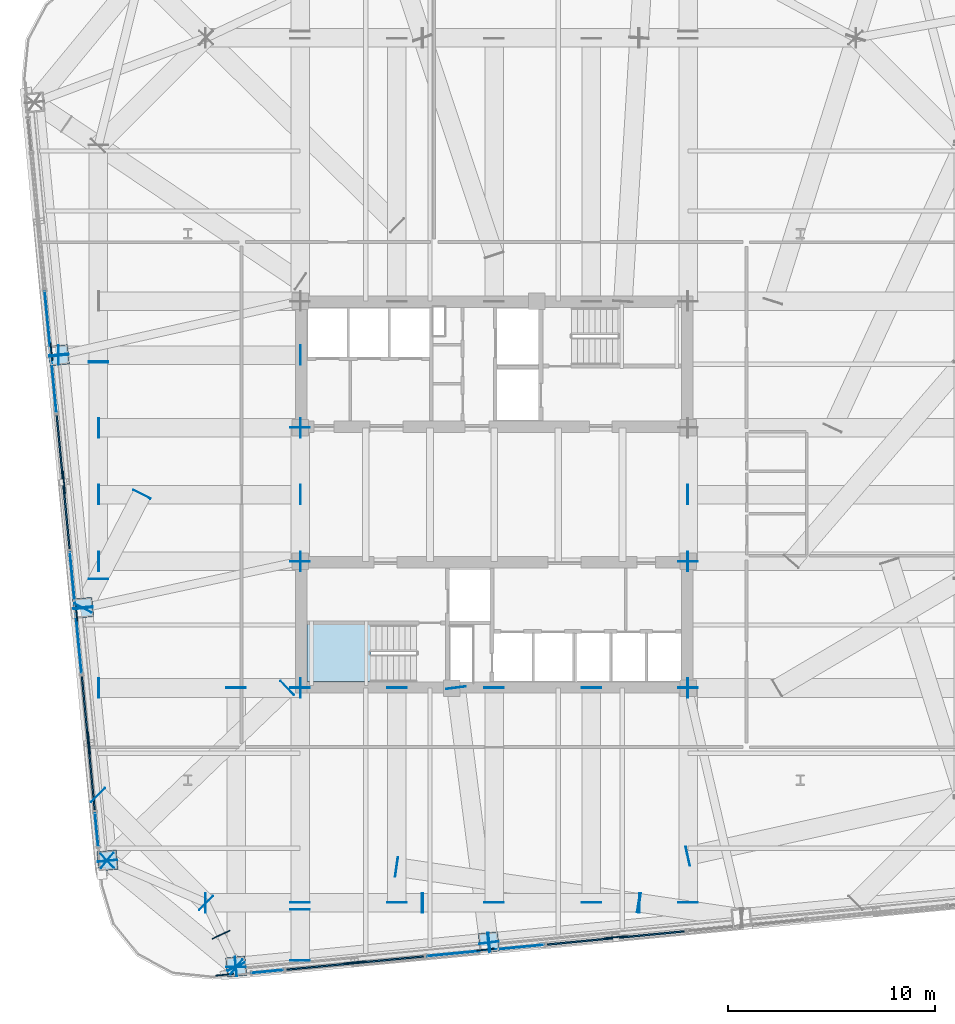
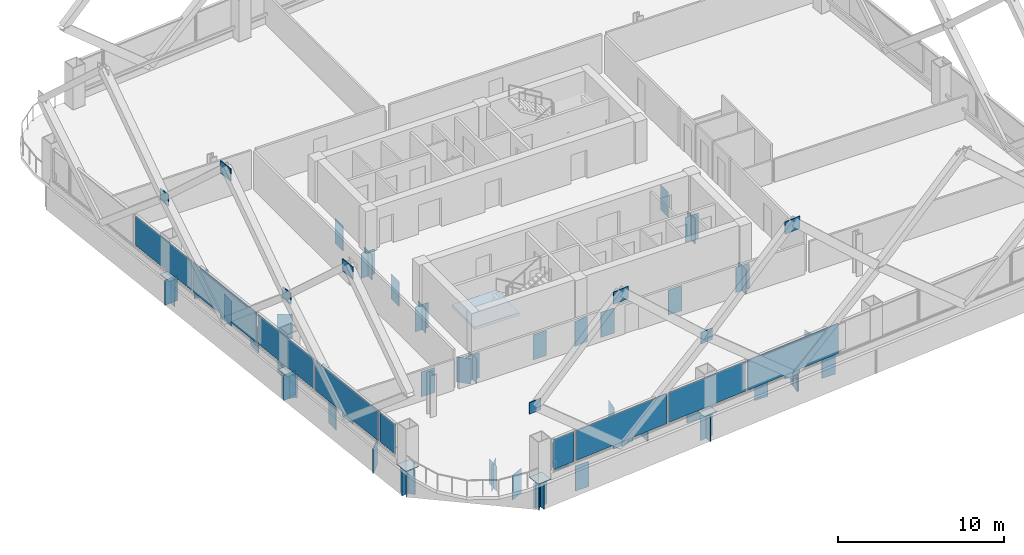
# One storey, part 33 of 42: 87 plates, 1 slab, 10 elements without a shape of their own.
"""IFC4 building model written with IfcOpenShell, lengths in metres."""

from ifc_helpers import new_model, si_unit, direction, frame, origin, origin_2d, place, context, subcontext, project, spatial, polyline, rectangle, outline, extrude, material, layer, layer_set, type_object, element, aggregate, save


model = new_model("IFC4")

# Units and contexts
model_context = context("Model", 3, precision=1e-05, world=origin(), true_north=direction((0.0, 1.0)))
body_context = subcontext(model_context, "Body", "Model", "MODEL_VIEW")
ifc_project = project(units=[si_unit("LENGTHUNIT", "METRE"), si_unit("AREAUNIT", "SQUARE_METRE"), si_unit("VOLUMEUNIT", "CUBIC_METRE"), si_unit("PLANEANGLEUNIT", "RADIAN"), si_unit("MASSUNIT", "GRAM", prefix="KILO")], contexts=[model_context])

# Site, building, storey
site_placement = place(None, origin())
site = spatial("IfcSite", under=ifc_project, at=site_placement, CompositionType="ELEMENT")
building_placement = place(site_placement, origin())
building = spatial("IfcBuilding", under=site, at=building_placement, Name="Qhalaya Broadcast Tower", CompositionType="ELEMENT")
storey_placement = place(building_placement, frame((0.0, 0.0, 69.449951171875)))
storey = spatial("IfcBuildingStorey", under=building, at=storey_placement, Name="L19", CompositionType="ELEMENT", Elevation=69.449951171875)

# Plates
ifc_material_1 = material(Name="Structural Steel ASTM A572 Grade 50", Category="steel")
ifc_layer_1 = layer(ifc_material_1, 0.054931640625, Name="Structural Steel ASTM A572 Grade 50")
ifc_layer_set_1 = layer_set([ifc_layer_1], Name="Structural Steel ASTM A572 Grade 50")
plate_type_1 = type_object("IfcPlateType", Name="Exoskeleton Diamond Node Gusset Plate NP-01", PredefinedType="USERDEFINED", material=ifc_layer_set_1)
for number, where, z_axis, x_axis, name in (
    (1, (-6.725830078125, -22.00146484375, 0.210205078125), (0.0, 0.0, 1.0), (0.995396198367, 0.09584575252, 0.0), "Exoskeleton Diamond Node B2-S1-BOT"),
    (2, (-6.725830078125, -22.00146484375, 10.85009765625), (0.0, 0.0, 1.0), (0.995396198367, 0.09584575252, 0.0), "Exoskeleton Diamond Node B2-S1-TOP"),
):
    element("IfcPlate", number, at=place(storey_placement, frame(where, z_axis=z_axis, x_axis=x_axis)), inside=storey, type_object=plate_type_1, Name=name, ObjectType="GUSSET_PLATE", PredefinedType="USERDEFINED", context=body_context, shape_type="SweptSolid", body=[
        extrude(rectangle(XDim=1.10009765625, YDim=0.054931640625, at=origin_2d()), origin(), (0.0, 0.0, 1.0), 0.89990234375),
    ])
plate_1_placement = place(storey_placement, frame((-13.030029296875, -22.608642578125, 5.31494140625), z_axis=(0.0, 0.0, 1.0), x_axis=(0.995396198367, 0.09584575252, 0.0)))
element("IfcPlate", 3, at=plate_1_placement, inside=storey, type_object=plate_type_1, Name="Exoskeleton Diamond Node B2-S1-MDL", ObjectType="GUSSET_PLATE", PredefinedType="USERDEFINED", context=body_context, shape_type="SweptSolid", body=[
    extrude(rectangle(XDim=0.85009765625, YDim=0.054931640625, at=origin_2d()), origin(), (0.0, 0.0, 1.0), 0.85009765625),
])
for number, where, z_axis, x_axis, name in (
    (4, (5.882568359375, -20.78759765625, 0.210205078125), (0.0, 0.0, 1.0), (0.995396198367, 0.09584575252, 0.0), "Exoskeleton Diamond Node B2-S2-BOT"),
    (5, (5.882568359375, -20.78759765625, 10.85009765625), (0.0, 0.0, 1.0), (0.995396198367, 0.09584575252, 0.0), "Exoskeleton Diamond Node B2-S2-TOP"),
):
    element("IfcPlate", number, at=place(storey_placement, frame(where, z_axis=z_axis, x_axis=x_axis)), inside=storey, type_object=plate_type_1, Name=name, ObjectType="GUSSET_PLATE", PredefinedType="USERDEFINED", context=body_context, shape_type="SweptSolid", body=[
        extrude(rectangle(XDim=1.10009765625, YDim=0.054931640625, at=origin_2d()), origin(), (0.0, 0.0, 1.0), 0.89990234375),
    ])
plate_2_placement = place(storey_placement, frame((-0.421630859375, -21.39453125, 5.31494140625), z_axis=(0.0, 0.0, 1.0), x_axis=(0.995396198367, 0.09584575252, 0.0)))
element("IfcPlate", 6, at=plate_2_placement, inside=storey, type_object=plate_type_1, Name="Exoskeleton Diamond Node B2-S2-MDL", ObjectType="GUSSET_PLATE", PredefinedType="USERDEFINED", context=body_context, shape_type="SweptSolid", body=[
    extrude(rectangle(XDim=0.85009765625, YDim=0.054931640625, at=origin_2d()), origin(), (0.0, 0.0, 1.0), 0.85009765625),
])
for number, where, z_axis, x_axis, name in (
    (7, (-20.78759765625, 1.197509765625, 0.210205078125), (0.0, 0.0, 1.0), (-0.09584575252, 0.995396198367, 0.0), "Exoskeleton Diamond Node B2-W2-BOT"),
    (8, (-20.78759765625, 1.197509765625, 10.85009765625), (0.0, 0.0, 1.0), (-0.09584575252, 0.995396198367, 0.0), "Exoskeleton Diamond Node B2-W2-TOP"),
):
    element("IfcPlate", number, at=place(storey_placement, frame(where, z_axis=z_axis, x_axis=x_axis)), inside=storey, type_object=plate_type_1, Name=name, ObjectType="GUSSET_PLATE", PredefinedType="USERDEFINED", context=body_context, shape_type="SweptSolid", body=[
        extrude(rectangle(XDim=1.10009765625, YDim=0.054931640625, at=origin_2d()), origin(), (0.0, 0.0, 1.0), 0.89990234375),
    ])
plate_3_placement = place(storey_placement, frame((-21.39453125, 7.501708984375, 5.31494140625), z_axis=(0.0, 0.0, 1.0), x_axis=(-0.09584575252, 0.995396198367, 0.0)))
element("IfcPlate", 9, at=plate_3_placement, inside=storey, type_object=plate_type_1, Name="Exoskeleton Diamond Node B2-W2-MDL", ObjectType="GUSSET_PLATE", PredefinedType="USERDEFINED", context=body_context, shape_type="SweptSolid", body=[
    extrude(rectangle(XDim=0.85009765625, YDim=0.054931640625, at=origin_2d()), origin(), (0.0, 0.0, 1.0), 0.85009765625),
])
for number, where, z_axis, x_axis, name in (
    (10, (-19.573486328125, -11.410888671875, 0.210205078125), (0.0, 0.0, 1.0), (-0.09584575252, 0.995396198367, 0.0), "Exoskeleton Diamond Node B2-W3-BOT"),
    (11, (-19.573486328125, -11.410888671875, 10.85009765625), (0.0, 0.0, 1.0), (-0.09584575252, 0.995396198367, 0.0), "Exoskeleton Diamond Node B2-W3-TOP"),
):
    element("IfcPlate", number, at=place(storey_placement, frame(where, z_axis=z_axis, x_axis=x_axis)), inside=storey, type_object=plate_type_1, Name=name, ObjectType="GUSSET_PLATE", PredefinedType="USERDEFINED", context=body_context, shape_type="SweptSolid", body=[
        extrude(rectangle(XDim=1.10009765625, YDim=0.054931640625, at=origin_2d()), origin(), (0.0, 0.0, 1.0), 0.89990234375),
    ])
plate_4_placement = place(storey_placement, frame((-20.180419921875, -5.106689453125, 5.31494140625), z_axis=(0.0, 0.0, 1.0), x_axis=(-0.09584575252, 0.995396198367, 0.0)))
element("IfcPlate", 12, at=plate_4_placement, inside=storey, type_object=plate_type_1, Name="Exoskeleton Diamond Node B2-W3-MDL", ObjectType="GUSSET_PLATE", PredefinedType="USERDEFINED", context=body_context, shape_type="SweptSolid", body=[
    extrude(rectangle(XDim=0.85009765625, YDim=0.054931640625, at=origin_2d()), origin(), (0.0, 0.0, 1.0), 0.85009765625),
])
ifc_layer_2 = layer(ifc_material_1, 0.4599609375, Name="Structural Steel ASTM A572 Grade 50")
ifc_layer_set_2 = layer_set([ifc_layer_2], Name="Structural Steel ASTM A572 Grade 50")
plate_type_2 = type_object("IfcPlateType", Name="Hollow Box Member End Cap Plate CP-01", PredefinedType="USERDEFINED", material=ifc_layer_set_2)
for number, where, z_axis, x_axis, name in (
    (13, (-12.481201171875, -22.214111328125, -2.0400390625), (0.0, 0.0, 1.0), (-0.09584575252, 0.995396198367, 0.0), "L19 Hollow Girder End Cap L19-SPR-01-A"),
    (14, (-0.2392578125, -21.035400390625, -2.0400390625), (0.0, 0.0, 1.0), (-0.09584575252, 0.995396198367, 0.0), "L19 Hollow Girder End Cap L19-SPR-01-B"),
    (15, (-0.27099609375, -21.038330078125, -2.0400390625), (0.0, 0.0, 1.0), (-0.09584575252, 0.995396198367, 0.0), "L19 Hollow Girder End Cap L19-SPR-02-A"),
    (16, (-21.035400390625, 7.3193359375, -2.0400390625), (0.0, 0.0, 1.0), (0.995396198367, 0.09584575252, 0.0), "L19 Hollow Girder End Cap L19-SPR-13-B"),
    (17, (-21.038330078125, 7.35107421875, -2.0400390625), (0.0, 0.0, 1.0), (0.995396198367, 0.09584575252, 0.0), "L19 Hollow Girder End Cap L19-SPR-14-A"),
    (18, (-19.859619140625, -4.890869140625, -2.0400390625), (0.0, 0.0, 1.0), (0.995396198367, 0.09584575252, 0.0), "L19 Hollow Girder End Cap L19-SPR-14-B"),
    (19, (-19.86279296875, -4.859130859375, -2.0400390625), (0.0, 0.0, 1.0), (0.995396198367, 0.09584575252, 0.0), "L19 Hollow Girder End Cap L19-SPR-15-A"),
    (20, (-18.68408203125, -17.10107421875, -2.0400390625), (0.0, 0.0, 1.0), (0.995396198367, 0.09584575252, 0.0), "L19 Hollow Girder End Cap L19-SPR-15-B"),
    (21, (-18.69775390625, -17.074951171875, -2.0400390625), (0.0, 0.0, 1.0), (0.636078220278, 0.771624583388, 0.0), "L19 Hollow Girder End Cap L19-SPR-16-A"),
    (22, (-12.453125, -22.222900390625, -2.0400390625), (0.0, 0.0, 1.0), (0.636078220278, 0.771624583388, 0.0), "L19 Hollow Girder End Cap L19-SPR-16-B"),
    (23, (-13.946044921875, -19.1298828125, -2.0400390625), (0.0, 0.0, 1.0), (0.0, 1.0, 0.0), "L19 Hollow Girder End Cap L19-TGL-01-A"),
    (24, (-3.447265625, -19.1298828125, -2.0400390625), (0.0, 0.0, 1.0), (0.0, 1.0, 0.0), "L19 Hollow Girder End Cap L19-TGL-01-B"),
    (25, (-3.479248046875, -19.1298828125, -2.0400390625), (0.0, 0.0, 1.0), (0.0, 1.0, 0.0), "L19 Hollow Girder End Cap L19-TGL-02-A"),
    (26, (7.019287109375, -19.1298828125, -2.0400390625), (0.0, 0.0, 1.0), (0.0, 1.0, 0.0), "L19 Hollow Girder End Cap L19-TGL-02-B"),
    (27, (-19.1298828125, 6.9873046875, -2.0400390625), (0.0, 0.0, 1.0), (1.0, 0.0, 0.0), "L19 Hollow Girder End Cap L19-TGL-13-B"),
    (28, (-19.1298828125, 7.019287109375, -2.0400390625), (0.0, 0.0, 1.0), (1.0, 0.0, 0.0), "L19 Hollow Girder End Cap L19-TGL-14-A"),
    (29, (-19.1298828125, -3.479248046875, -2.0400390625), (0.0, 0.0, 1.0), (1.0, 0.0, 0.0), "L19 Hollow Girder End Cap L19-TGL-14-B"),
    (30, (-19.141357421875, -13.918701171875, -2.0400390625), (0.0, 0.0, 1.0), (0.707106781187, 0.707106781187, 0.0), "L19 Hollow Girder End Cap L19-TGL-16-A"),
    (31, (-13.918701171875, -19.141357421875, -2.0400390625), (0.0, 0.0, 1.0), (0.707106781187, 0.707106781187, 0.0), "L19 Hollow Girder End Cap L19-TGL-16-B"),
    (32, (0.0, -19.10595703125, -2.0400390625), (0.0, 0.0, 1.0), (-1.0, 0.0, 0.0), "L19 Hollow Girder End Cap L19-TGIMS-1-A"),
    (33, (0.0, -8.73388671875, -2.0400390625), (0.0, 0.0, 1.0), (-1.0, 0.0, 0.0), "L19 Hollow Girder End Cap L19-TGIMS-1-B"),
    (34, (-4.699951171875, -19.10595703125, -2.0400390625), (0.0, 0.0, 1.0), (-1.0, 0.0, 0.0), "L19 Hollow Girder End Cap L19-TGIMSW-1-A"),
    (35, (-4.699951171875, -8.73388671875, -2.0400390625), (0.0, 0.0, 1.0), (-1.0, 0.0, 0.0), "L19 Hollow Girder End Cap L19-TGIMSW-1-B"),
    (36, (4.699951171875, -19.10595703125, -2.0400390625), (0.0, 0.0, 1.0), (-1.0, 0.0, 0.0), "L19 Hollow Girder End Cap L19-TGIMSE-1-A"),
    (37, (4.699951171875, -8.73388671875, -2.0400390625), (0.0, 0.0, 1.0), (-1.0, 0.0, 0.0), "L19 Hollow Girder End Cap L19-TGIMSE-1-B"),
    (38, (-19.10595703125, 0.60009765625, -2.0400390625), (0.0, 0.0, 1.0), (0.0, 1.0, 0.0), "L19 Hollow Girder End Cap L19-TGIYW-1-A"),
    (39, (-9.35888671875, 0.60009765625, -2.0400390625), (0.0, 0.0, 1.0), (0.0, 1.0, 0.0), "L19 Hollow Girder End Cap L19-TGIYW-1-B"),
    (40, (9.35888671875, 0.60009765625, -2.0400390625), (0.0, 0.0, 1.0), (0.0, 1.0, 0.0), "L19 Hollow Girder End Cap L19-TGIYE-1-A"),
    (41, (-9.375, -19.10595703125, -2.0400390625), (0.0, 0.0, 1.0), (-1.0, 0.0, 0.0), "L19 Hollow Girder End Cap L19-TGISW-1-A"),
    (42, (-9.375, -8.73388671875, -2.0400390625), (0.0, 0.0, 1.0), (-1.0, 0.0, 0.0), "L19 Hollow Girder End Cap L19-TGISW-1-B"),
    (43, (9.375, -19.10595703125, -2.0400390625), (0.0, 0.0, 1.0), (-1.0, 0.0, 0.0), "L19 Hollow Girder End Cap L19-TGISE-1-A"),
    (44, (9.375, -8.73388671875, -2.0400390625), (0.0, 0.0, 1.0), (-1.0, 0.0, 0.0), "L19 Hollow Girder End Cap L19-TGISE-1-B"),
    (45, (-9.375, -2.64111328125, -2.0400390625), (0.0, 0.0, 1.0), (-1.0, 0.0, 0.0), "L19 Hollow Girder End Cap L19-TGIMW-1-A"),
    (46, (-9.375, 3.841064453125, -2.0400390625), (0.0, 0.0, 1.0), (-1.0, 0.0, 0.0), "L19 Hollow Girder End Cap L19-TGIMW-1-B"),
    (47, (9.375, -2.64111328125, -2.0400390625), (0.0, 0.0, 1.0), (-1.0, 0.0, 0.0), "L19 Hollow Girder End Cap L19-TGIME-1-A"),
    (48, (-19.10595703125, -8.75, -2.0400390625), (0.0, 0.0, 1.0), (0.0, 1.0, 0.0), "L19 Hollow Girder End Cap L19-TGIY1W-1-A"),
    (49, (-9.35888671875, -8.75, -2.0400390625), (0.0, 0.0, 1.0), (0.0, 1.0, 0.0), "L19 Hollow Girder End Cap L19-TGIY1W-1-B"),
    (50, (9.35888671875, -8.75, -2.0400390625), (0.0, 0.0, 1.0), (0.0, 1.0, 0.0), "L19 Hollow Girder End Cap L19-TGIY1E-1-A"),
    (51, (-19.10595703125, -2.625, -2.0400390625), (0.0, 0.0, 1.0), (0.0, 1.0, 0.0), "L19 Hollow Girder End Cap L19-TGIY2W-1-A"),
    (52, (-9.35888671875, -2.625, -2.0400390625), (0.0, 0.0, 1.0), (0.0, 1.0, 0.0), "L19 Hollow Girder End Cap L19-TGIY2W-1-B"),
    (53, (9.35888671875, -2.625, -2.0400390625), (0.0, 0.0, 1.0), (0.0, 1.0, 0.0), "L19 Hollow Girder End Cap L19-TGIY2E-1-A"),
    (54, (-19.10595703125, 3.824951171875, -2.0400390625), (0.0, 0.0, 1.0), (0.0, 1.0, 0.0), "L19 Hollow Girder End Cap L19-TGIY3W-1-A"),
    (55, (-9.35888671875, 3.824951171875, -2.0400390625), (0.0, 0.0, 1.0), (0.0, 1.0, 0.0), "L19 Hollow Girder End Cap L19-TGIY3W-1-B"),
    (56, (-12.46533203125, -8.73388671875, -2.0400390625), (0.0, 0.0, 1.0), (1.0, 0.0, 0.0), "L19 Hollow Girder End Cap L19-TGA-01-A"),
    (57, (-12.46533203125, -22.228515625, -2.0400390625), (0.0, 0.0, 1.0), (1.0, 0.0, 0.0), "L19 Hollow Girder End Cap L19-TGA-01-B"),
):
    element("IfcPlate", number, at=place(storey_placement, frame(where, z_axis=z_axis, x_axis=x_axis)), inside=storey, type_object=plate_type_2, Name=name, ObjectType="COVER_PLATE", PredefinedType="USERDEFINED", context=body_context, shape_type="SweptSolid", body=[
        extrude(rectangle(XDim=0.93994140625, YDim=0.031982421875, at=origin_2d()), origin(), (0.0, 0.0, 1.0), 1.840087890625),
    ])
plate_5_placement = place(storey_placement, frame((-12.46533203125, -22.212646484375, -2.02001953125), z_axis=(0.0, 0.0, 1.0), x_axis=(0.903237947318, 0.429140082637, 0.0)))
element("IfcPlate", 58, at=plate_5_placement, inside=storey, type_object=plate_type_2, Name="L19 Transfer Box End Cap 01", ObjectType="COVER_PLATE", PredefinedType="USERDEFINED", context=body_context, shape_type="SweptSolid", body=[
    extrude(rectangle(XDim=0.919921875, YDim=0.035888671875, at=origin_2d()), origin(), (0.0, 0.0, 1.0), 1.800048828125),
])
for number, where, z_axis, x_axis, name in (
    (59, (-1.841552734375, -8.734130859375, -2.0400390625), (0.0, 0.0, 1.0), (0.99178764513, 0.12789553146, 0.0), "L19 Hollow Girder End Cap L19-TGA-02-A"),
    (60, (-0.253173828125, -21.052734375, -2.0400390625), (0.0, 0.0, 1.0), (0.99178764513, 0.12789553146, 0.0), "L19 Hollow Girder End Cap L19-TGA-02-B"),
    (61, (-4.7158203125, -17.3994140625, -2.0400390625), (0.0, 0.0, 1.0), (0.146083028562, 0.989272332963, 0.0), "L19 Hollow Girder End Cap L19-TGA-03-A"),
    (62, (7.01904296875, -19.13232421875, -2.0400390625), (0.0, 0.0, 1.0), (0.146083028562, 0.989272332963, 0.0), "L19 Hollow Girder End Cap L19-TGA-03-B"),
    (63, (6.987548828125, -19.127685546875, -2.0400390625), (0.0, 0.0, 1.0), (0.146083028562, 0.989272332963, 0.0), "L19 Hollow Girder End Cap L19-TGC-03-A"),
    (64, (9.359375, -16.873779296875, -2.0400390625), (0.0, 0.0, 1.0), (-0.215928396898, 0.976409200803, 0.0), "L19 Hollow Girder End Cap L19-TGA-05-A"),
    (65, (-9.35888671875, 7.335205078125, -2.0400390625), (0.0, 0.0, 1.0), (0.0, -1.0, 0.0), "L19 Hollow Girder End Cap L19-TGA-14-A"),
    (66, (-21.052978515625, 7.335205078125, -2.0400390625), (0.0, 0.0, 1.0), (0.0, -1.0, 0.0), "L19 Hollow Girder End Cap L19-TGA-14-B"),
    (67, (-17.01806640625, 0.6142578125, -2.0400390625), (0.0, 0.0, 1.0), (0.887959917348, -0.459920846649, 0.0), "L19 Hollow Girder End Cap L19-TGA-15-A"),
    (68, (-19.86865234375, -4.88916015625, -2.0400390625), (0.0, 0.0, 1.0), (0.887959917348, -0.459920846649, 0.0), "L19 Hollow Girder End Cap L19-TGA-15-B"),
    (69, (-9.998046875, -8.739013671875, -2.0400390625), (0.0, 0.0, 1.0), (0.692797937531, -0.721131761714, 0.0), "L19 Hollow Girder End Cap L19-TGA-16-A"),
    (70, (-18.697021484375, -17.09619140625, -2.0400390625), (0.0, 0.0, 1.0), (0.692797937531, -0.721131761714, 0.0), "L19 Hollow Girder End Cap L19-TGA-16-B"),
    (71, (-9.375, -21.910888671875, -2.0400390625), (0.0, 0.0, 1.0), (-1.0, 0.0, 0.0), "L19 Hollow Girder End Cap L19-PGXS1-OV1-A"),
    (72, (-9.375, -19.4541015625, -2.0400390625), (0.0, 0.0, 1.0), (-1.0, 0.0, 0.0), "L19 Hollow Girder End Cap L19-PGXS1-OV1-B"),
):
    element("IfcPlate", number, at=place(storey_placement, frame(where, z_axis=z_axis, x_axis=x_axis)), inside=storey, type_object=plate_type_2, Name=name, ObjectType="COVER_PLATE", PredefinedType="USERDEFINED", context=body_context, shape_type="SweptSolid", body=[
        extrude(rectangle(XDim=0.93994140625, YDim=0.031982421875, at=origin_2d()), origin(), (0.0, 0.0, 1.0), 1.840087890625),
    ])
for number, where, z_axis, x_axis, name in (
    (73, (-12.46533203125, -22.212646484375, -0.03173828125), (0.0, 0.0, 1.0), (0.995396198367, 0.09584575252, 0.0), "L19 Hollow Box Column Base Cap Plate COL-EX01"),
    (74, (-0.255126953125, -21.036865234375, -0.03173828125), (0.0, 0.0, 1.0), (0.995396198367, 0.09584575252, 0.0), "L19 Hollow Box Column Base Cap Plate COL-EX02"),
    (75, (-21.036865234375, 7.335205078125, -0.03173828125), (0.0, 0.0, 1.0), (-0.09584575252, 0.995396198367, 0.0), "L19 Hollow Box Column Base Cap Plate COL-EX14"),
    (76, (-19.861083984375, -4.875, -0.03173828125), (0.0, 0.0, 1.0), (-0.09584575252, 0.995396198367, 0.0), "L19 Hollow Box Column Base Cap Plate COL-EX15"),
    (77, (-18.685546875, -17.085205078125, -0.03173828125), (0.0, 0.0, 1.0), (-0.09584575252, 0.995396198367, 0.0), "L19 Hollow Box Column Base Cap Plate COL-EX16"),
):
    element("IfcPlate", number, at=place(storey_placement, frame(where, z_axis=z_axis, x_axis=x_axis)), inside=storey, type_object=plate_type_2, Name=name, ObjectType="COVER_PLATE", PredefinedType="USERDEFINED", context=body_context, shape_type="SweptSolid", body=[
        extrude(rectangle(XDim=0.93994140625, YDim=0.93994140625, at=origin_2d()), origin(), (0.0, 0.0, 1.0), 0.031982421875),
    ])

# Curtain wall, plate
ifc_material_2 = material(Name="Fired Architectural Terracotta", Category="masonry")
ifc_layer_3 = layer(ifc_material_2, 0.219970703125, Name="Fired Architectural Terracotta")
ifc_layer_set_3 = layer_set([ifc_layer_3], Name="Fired Architectural Terracotta")
curtain_wall_type_1 = type_object("IfcCurtainWallType", Name="Block-Cap Unitised Terracotta Spandrel Wall CW-07", PredefinedType="NOTDEFINED", material=ifc_layer_set_3)
curtain_wall_1_placement = place(storey_placement, origin())
curtain_wall_1 = element("IfcCurtainWall", 78, at=curtain_wall_1_placement, inside=storey, type_object=curtain_wall_type_1, Name="L19 Unitised Curtain Wall L19-CW-S2", PredefinedType="NOTDEFINED")
ifc_layer_4 = layer(ifc_material_2, 0.080078125, Name="Fired Architectural Terracotta")
ifc_layer_set_4 = layer_set([ifc_layer_4], Name="Fired Architectural Terracotta")
plate_type_3 = type_object("IfcPlateType", Name="Insulated Terracotta Spandrel Panel TSP-07", PredefinedType="CURTAIN_PANEL", material=ifc_layer_set_4)
plate_6_placement = place(storey_placement, frame((-6.721923828125, -22.041259765625, 0.55517578125), z_axis=(0.0, 0.0, 1.0), x_axis=(0.995395819861, 0.095849683373, 0.0)))
plate_6 = element("IfcPlate", 79, at=plate_6_placement, type_object=plate_type_3, Name="CW-07 panel 1.1", PredefinedType="CURTAIN_PANEL", context=body_context, shape_type="SweptSolid", body=[
    extrude(rectangle(XDim=6.693115234375, YDim=0.080078125, at=origin_2d()), origin(), (0.0, 0.0, 1.0), 2.199951171875),
])
aggregate(curtain_wall_1, [plate_6])

curtain_wall_2_placement = place(storey_placement, origin())
curtain_wall_2 = element("IfcCurtainWall", 80, at=curtain_wall_2_placement, inside=storey, type_object=curtain_wall_type_1, Name="L19 Unitised Curtain Wall L19-CW-S4", PredefinedType="NOTDEFINED")
plate_7_placement = place(storey_placement, frame((5.88623046875, -20.827392578125, 0.55517578125), z_axis=(0.0, 0.0, 1.0), x_axis=(0.995395768185, 0.095850220023, 0.0)))
plate_7 = element("IfcPlate", 81, at=plate_7_placement, type_object=plate_type_3, Name="CW-07 panel 1.1", PredefinedType="CURTAIN_PANEL", context=body_context, shape_type="SweptSolid", body=[
    extrude(rectangle(XDim=6.694091796875, YDim=0.080078125, at=origin_2d()), origin(), (0.0, 0.0, 1.0), 2.199951171875),
])
aggregate(curtain_wall_2, [plate_7])

curtain_wall_3_placement = place(storey_placement, origin())
curtain_wall_3 = element("IfcCurtainWall", 82, at=curtain_wall_3_placement, inside=storey, type_object=curtain_wall_type_1, Name="L19 Unitised Curtain Wall L19-CW-W4", PredefinedType="NOTDEFINED")
plate_8_placement = place(storey_placement, frame((-20.827392578125, 1.19384765625, 0.55517578125), z_axis=(0.0, 0.0, 1.0), x_axis=(0.095857417835, -0.995395075056, 0.0)))
plate_8 = element("IfcPlate", 83, at=plate_8_placement, type_object=plate_type_3, Name="CW-07 panel 1.1", PredefinedType="CURTAIN_PANEL", context=body_context, shape_type="SweptSolid", body=[
    extrude(rectangle(XDim=6.511962890625, YDim=0.080078125, at=origin_2d()), origin(), (0.0, 0.0, 1.0), 2.199951171875),
])
aggregate(curtain_wall_3, [plate_8])

curtain_wall_4_placement = place(storey_placement, origin())
curtain_wall_4 = element("IfcCurtainWall", 84, at=curtain_wall_4_placement, inside=storey, type_object=curtain_wall_type_1, Name="L19 Unitised Curtain Wall L19-CW-W6", PredefinedType="NOTDEFINED")
plate_9_placement = place(storey_placement, frame((-19.61328125, -11.41455078125, 0.55517578125), z_axis=(0.0, 0.0, 1.0), x_axis=(0.095857967914, -0.995395022083, 0.0)))
plate_9 = element("IfcPlate", 85, at=plate_9_placement, type_object=plate_type_3, Name="CW-07 panel 1.1", PredefinedType="CURTAIN_PANEL", context=body_context, shape_type="SweptSolid", body=[
    extrude(rectangle(XDim=6.512939453125, YDim=0.080078125, at=origin_2d()), origin(), (0.0, 0.0, 1.0), 2.199951171875),
])
aggregate(curtain_wall_4, [plate_9])

ifc_material_3 = material(Name="Solar-Control Low-E Triple Glazing", Category="glass")
ifc_layer_5 = layer(ifc_material_3, 0.219970703125, Name="Solar-Control Low-E Triple Glazing")
ifc_layer_set_5 = layer_set([ifc_layer_5], Name="Solar-Control Low-E Triple Glazing")
curtain_wall_type_2 = type_object("IfcCurtainWallType", Name="Even-Block 4-Storey Double-Module Curtain Wall CW-03", PredefinedType="NOTDEFINED", material=ifc_layer_set_5)
curtain_wall_5_placement = place(storey_placement, origin())
curtain_wall_5 = element("IfcCurtainWall", 86, at=curtain_wall_5_placement, inside=storey, type_object=curtain_wall_type_2, Name="L19 Unitised Curtain Wall L19-CW-S1", PredefinedType="NOTDEFINED")
ifc_layer_6 = layer(ifc_material_3, 0.035888671875, Name="Solar-Control Low-E Triple Glazing")
ifc_layer_set_6 = layer_set([ifc_layer_6], Name="Solar-Control Low-E Triple Glazing")
plate_type_4 = type_object("IfcPlateType", Name="Solar-Control Curtain Glazing Panel GLP-03", PredefinedType="CURTAIN_PANEL", material=ifc_layer_set_6)
plate_10_placement = place(storey_placement, frame((-10.954833984375, -22.448974609375, 0.55517578125), z_axis=(0.0, 0.0, 1.0), x_axis=(0.995395680125, 0.095851134517, 0.0)))
plate_10 = element("IfcPlate", 87, at=plate_10_placement, type_object=plate_type_4, Name="CW-03 panel 1.1", PredefinedType="CURTAIN_PANEL", context=body_context, shape_type="SweptSolid", body=[
    extrude(rectangle(XDim=1.511962890625, YDim=0.035888671875, at=origin_2d()), origin(), (0.0, 0.0, 1.0), 2.199951171875),
])
aggregate(curtain_wall_5, [plate_10])

curtain_wall_6_placement = place(storey_placement, origin())
curtain_wall_6 = element("IfcCurtainWall", 88, at=curtain_wall_6_placement, inside=storey, type_object=curtain_wall_type_2, Name="L19 Unitised Curtain Wall L19-CW-S3", PredefinedType="NOTDEFINED")
plate_11_placement = place(storey_placement, frame((-0.418212890625, -21.434326171875, 0.55517578125), z_axis=(0.0, 0.0, 1.0), x_axis=(0.995396371729, 0.095843952075, 0.0)))
plate_11 = element("IfcPlate", 89, at=plate_11_placement, type_object=plate_type_4, Name="CW-03 panel 1.1", PredefinedType="CURTAIN_PANEL", context=body_context, shape_type="SweptSolid", body=[
    extrude(rectangle(XDim=5.673095703125, YDim=0.035888671875, at=origin_2d()), origin(), (0.0, 0.0, 1.0), 2.199951171875),
])
aggregate(curtain_wall_6, [plate_11])

curtain_wall_7_placement = place(storey_placement, origin())
curtain_wall_7 = element("IfcCurtainWall", 90, at=curtain_wall_7_placement, inside=storey, type_object=curtain_wall_type_2, Name="L19 Unitised Curtain Wall L19-CW-W3", PredefinedType="NOTDEFINED")
plate_12_placement = place(storey_placement, frame((-21.434326171875, 7.49755859375, 0.55517578125), z_axis=(0.0, 0.0, 1.0), x_axis=(0.095837131698, -0.99539702842, 0.0)))
plate_12 = element("IfcPlate", 91, at=plate_12_placement, type_object=plate_type_4, Name="CW-03 panel 1.1", PredefinedType="CURTAIN_PANEL", context=body_context, shape_type="SweptSolid", body=[
    extrude(rectangle(XDim=5.85400390625, YDim=0.035888671875, at=origin_2d()), origin(), (0.0, 0.0, 1.0), 2.199951171875),
])
aggregate(curtain_wall_7, [plate_12])

curtain_wall_8_placement = place(storey_placement, origin())
curtain_wall_8 = element("IfcCurtainWall", 92, at=curtain_wall_8_placement, inside=storey, type_object=curtain_wall_type_2, Name="L19 Unitised Curtain Wall L19-CW-W5", PredefinedType="NOTDEFINED")
plate_13_placement = place(storey_placement, frame((-20.22021484375, -5.110107421875, 0.55517578125), z_axis=(0.0, 0.0, 1.0), x_axis=(0.095835542837, -0.995397181395, 0.0)))
plate_13 = element("IfcPlate", 93, at=plate_13_placement, type_object=plate_type_4, Name="CW-03 panel 1.1", PredefinedType="CURTAIN_PANEL", context=body_context, shape_type="SweptSolid", body=[
    extrude(rectangle(XDim=5.85400390625, YDim=0.035888671875, at=origin_2d()), origin(), (0.0, 0.0, 1.0), 2.199951171875),
])
aggregate(curtain_wall_8, [plate_13])

curtain_wall_9_placement = place(storey_placement, origin())
curtain_wall_9 = element("IfcCurtainWall", 94, at=curtain_wall_9_placement, inside=storey, type_object=curtain_wall_type_2, Name="L19 Unitised Curtain Wall L19-CW-W7", PredefinedType="NOTDEFINED")
plate_14_placement = place(storey_placement, frame((-19.2099609375, -15.6025390625, 0.55517578125), z_axis=(0.0, 0.0, 1.0), x_axis=(0.095829861583, -0.995397728362, 0.0)))
plate_14 = element("IfcPlate", 95, at=plate_14_placement, type_object=plate_type_4, Name="CW-03 panel 1.1", PredefinedType="CURTAIN_PANEL", context=body_context, shape_type="SweptSolid", body=[
    extrude(rectangle(XDim=1.60205078125, YDim=0.035888671875, at=origin_2d()), origin(), (0.0, 0.0, 1.0), 2.199951171875),
])
aggregate(curtain_wall_9, [plate_14])

# Stair, slab
ifc_material_4 = material(Name="Concrete C40/50", Category="concrete")
stair_type = type_object("IfcStairType", Name="Protected Dogleg Core Stair 3150", PredefinedType="TWO_STRAIGHT_RUN_STAIR", material=ifc_material_4)
stair_placement = place(storey_placement, origin())
stair = element("IfcStair", 96, at=stair_placement, inside=storey, type_object=stair_type, Name="L19 South Core Exit Stair ST-2", PredefinedType="TWO_STRAIGHT_RUN_STAIR")
ifc_layer_7 = layer(ifc_material_4, 0.199951171875, Name="Concrete C40/50")
ifc_layer_set_7 = layer_set([ifc_layer_7], Name="Concrete C40/50")
slab_type = type_object("IfcSlabType", Name="Stair & Ramp Half-Landing Slab 200", PredefinedType="LANDING", material=ifc_layer_set_7)
slab_placement = place(storey_placement, frame((0.0, 0.0, 1.324951171875)))
slab = element("IfcSlab", 97, at=slab_placement, type_object=slab_type, Name="ST-2 landing 1", PredefinedType="LANDING", context=body_context, shape_type="SweptSolid", body=[
    extrude(outline(polyline([(-5.955078125, -5.679931640625), (-9.050048828125, -5.679931640625), (-9.050048828125, -8.43994140625), (-5.955078125, -8.43994140625), (-5.955078125, -5.679931640625)])), origin(), (0.0, 0.0, 1.0), 0.2001953125),
])
aggregate(stair, [slab])

# Plate
ifc_layer_8 = layer(ifc_material_1, 0.044921875, Name="Structural Steel ASTM A572 Grade 50")
ifc_layer_set_8 = layer_set([ifc_layer_8], Name="Structural Steel ASTM A572 Grade 50")
plate_type_5 = type_object("IfcPlateType", Name="Transfer Girder Web Stiffener Plate WS-01", PredefinedType="USERDEFINED", material=ifc_layer_set_8)
plate_15_placement = place(storey_placement, frame((-13.19775390625, -20.67138671875, -2.02001953125), z_axis=(0.0, 0.0, 1.0), x_axis=(0.903237947318, 0.429140082637, 0.0)))
element("IfcPlate", 98, at=plate_15_placement, inside=storey, type_object=plate_type_5, Name="L19 Transfer Girder Stiffener 01", ObjectType="STIFFENER_PLATE", PredefinedType="USERDEFINED", context=body_context, shape_type="SweptSolid", body=[
    extrude(rectangle(XDim=0.93994140625, YDim=0.044921875, at=origin_2d()), origin(), (0.0, 0.0, 1.0), 1.800048828125),
])

save(model, "model.ifc")
